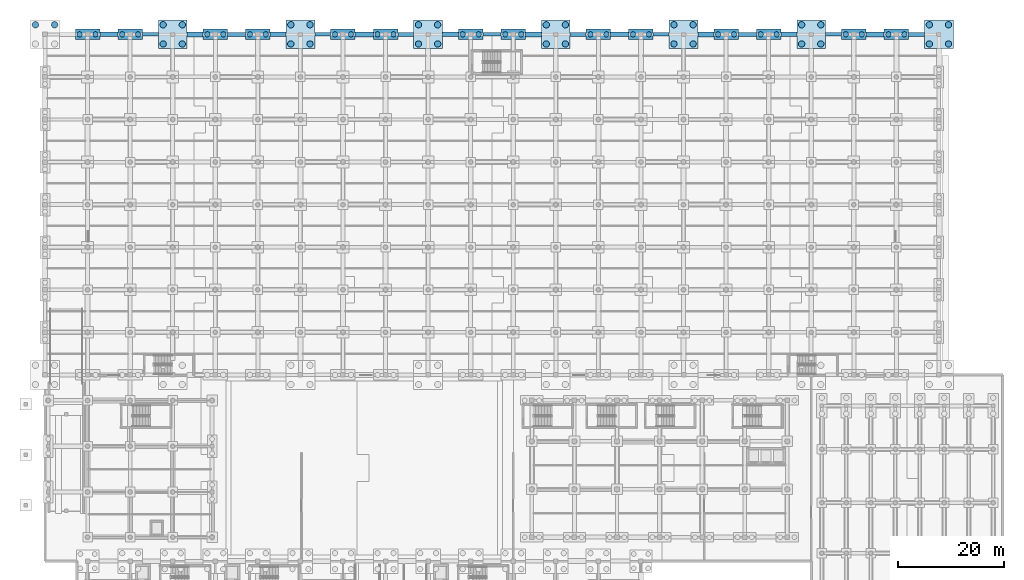
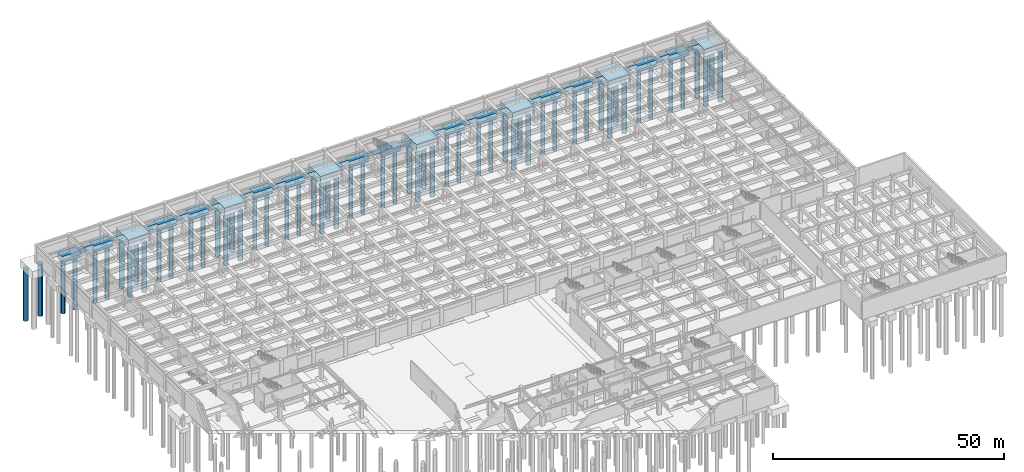
# One storey, part 16 of 48: 58 piles, 41 footings.
"""IFC4 building model written with IfcOpenShell, lengths in metres."""

from ifc_helpers import new_model, si_unit, direction, frame, origin, origin_2d, place, context, subcontext, project, spatial, polyline, rectangle, circle, outline, extrude, material, layer, layer_set, material_profile, profile_set, type_object, element, save


model = new_model("IFC4")

# Units and contexts
model_context = context("Model", 3, precision=1e-05, world=origin(), true_north=direction((0.0, 1.0)))
body_context = subcontext(model_context, "Body", "Model", "MODEL_VIEW")
ifc_project = project(units=[si_unit("LENGTHUNIT", "METRE"), si_unit("AREAUNIT", "SQUARE_METRE"), si_unit("VOLUMEUNIT", "CUBIC_METRE"), si_unit("PLANEANGLEUNIT", "RADIAN"), si_unit("MASSUNIT", "GRAM", prefix="KILO")], contexts=[model_context])

# Site, building, storey
site_placement = place(None, origin())
site = spatial("IfcSite", under=ifc_project, at=site_placement, CompositionType="ELEMENT")
building_placement = place(site_placement, origin())
building = spatial("IfcBuilding", under=site, at=building_placement, Name="Tlacozan Convention Centre", CompositionType="ELEMENT")
storey_placement = place(building_placement, frame((0.0, 0.0, -4.800048828125)))
storey = spatial("IfcBuildingStorey", under=building, at=storey_placement, Name="B01", CompositionType="ELEMENT", Elevation=-4.800048828125)

# Footings
ifc_material = material(Name="Concrete C35/45", Category="concrete")
ifc_layer_1 = layer(ifc_material, 1.0)
ifc_layer_set_1 = layer_set([ifc_layer_1], Name="Concrete C35/45")
footing_type_1 = type_object("IfcFootingType", Name="Foundation Tie Beam 650x1000", PredefinedType="FOOTING_BEAM", material=ifc_layer_set_1)
footing_1_placement = place(storey_placement, frame((0.0, 0.0, -1.0)))
element("IfcFooting", 1, at=footing_1_placement, inside=storey, type_object=footing_type_1, Name="Foundation Tie Beam X-297", PredefinedType="FOOTING_BEAM", context=body_context, shape_type="SweptSolid", body=[
    extrude(outline(polyline([(18.300048828125, 125.675048828125), (21.300048828125, 125.675048828125), (21.300048828125, 126.324951171875), (18.300048828125, 126.324951171875), (18.300048828125, 125.675048828125)])), origin(), (0.0, 0.0, 1.0), 1.0),
])
footing_2_placement = place(storey_placement, frame((0.0, 0.0, -1.0)))
element("IfcFooting", 2, at=footing_2_placement, inside=storey, type_object=footing_type_1, Name="Foundation Tie Beam X-301", PredefinedType="FOOTING_BEAM", context=body_context, shape_type="SweptSolid", body=[
    extrude(outline(polyline([(50.699951171875, 125.675048828125), (53.699951171875, 125.675048828125), (53.699951171875, 126.324951171875), (50.699951171875, 126.324951171875), (50.699951171875, 125.675048828125)])), origin(), (0.0, 0.0, 1.0), 1.0),
])
footing_3_placement = place(storey_placement, frame((0.0, 0.0, -1.0)))
element("IfcFooting", 3, at=footing_3_placement, inside=storey, type_object=footing_type_1, Name="Foundation Tie Beam X-305", PredefinedType="FOOTING_BEAM", context=body_context, shape_type="SweptSolid", body=[
    extrude(outline(polyline([(82.300048828125, 125.675048828125), (85.699951171875, 125.675048828125), (85.699951171875, 126.324951171875), (82.300048828125, 126.324951171875), (82.300048828125, 125.675048828125)])), origin(), (0.0, 0.0, 1.0), 1.0),
])
footing_4_placement = place(storey_placement, frame((0.0, 0.0, -1.0)))
element("IfcFooting", 4, at=footing_4_placement, inside=storey, type_object=footing_type_1, Name="Foundation Tie Beam X-309", PredefinedType="FOOTING_BEAM", context=body_context, shape_type="SweptSolid", body=[
    extrude(outline(polyline([(114.300048828125, 125.675048828125), (117.300048828125, 125.675048828125), (117.300048828125, 126.324951171875), (114.300048828125, 126.324951171875), (114.300048828125, 125.675048828125)])), origin(), (0.0, 0.0, 1.0), 1.0),
])
footing_5_placement = place(storey_placement, frame((0.0, 0.0, -1.0)))
element("IfcFooting", 5, at=footing_5_placement, inside=storey, type_object=footing_type_1, Name="Foundation Tie Beam X-313", PredefinedType="FOOTING_BEAM", context=body_context, shape_type="SweptSolid", body=[
    extrude(outline(polyline([(146.699951171875, 125.675048828125), (149.699951171875, 125.675048828125), (149.699951171875, 126.324951171875), (146.699951171875, 126.324951171875), (146.699951171875, 125.675048828125)])), origin(), (0.0, 0.0, 1.0), 1.0),
])
ifc_layer_2 = layer(ifc_material, 1.10009765625)
ifc_layer_set_2 = layer_set([ifc_layer_2], Name="Concrete C35/45")
footing_type_2 = type_object("IfcFootingType", Name="Foundation Tie Beam 750x1100", PredefinedType="FOOTING_BEAM", material=ifc_layer_set_2)
footing_6_placement = place(storey_placement, frame((0.0, 0.0, -1.099853515625)))
element("IfcFooting", 6, at=footing_6_placement, inside=storey, type_object=footing_type_2, Name="Foundation Tie Beam X-299", PredefinedType="FOOTING_BEAM", context=body_context, shape_type="SweptSolid", body=[
    extrude(outline(polyline([(34.300048828125, 125.625), (37.699951171875, 125.625), (37.699951171875, 126.375), (34.300048828125, 126.375), (34.300048828125, 125.625)])), origin(), (0.0, 0.0, 1.0), 1.099853515625),
])
footing_7_placement = place(storey_placement, frame((0.0, 0.0, -1.099853515625)))
element("IfcFooting", 7, at=footing_7_placement, inside=storey, type_object=footing_type_2, Name="Foundation Tie Beam X-303", PredefinedType="FOOTING_BEAM", context=body_context, shape_type="SweptSolid", body=[
    extrude(outline(polyline([(66.300048828125, 125.625), (69.300048828125, 125.625), (69.300048828125, 126.375), (66.300048828125, 126.375), (66.300048828125, 125.625)])), origin(), (0.0, 0.0, 1.0), 1.099853515625),
])
footing_8_placement = place(storey_placement, frame((0.0, 0.0, -1.099853515625)))
element("IfcFooting", 8, at=footing_8_placement, inside=storey, type_object=footing_type_2, Name="Foundation Tie Beam X-307", PredefinedType="FOOTING_BEAM", context=body_context, shape_type="SweptSolid", body=[
    extrude(outline(polyline([(98.699951171875, 125.625), (101.699951171875, 125.625), (101.699951171875, 126.375), (98.699951171875, 126.375), (98.699951171875, 125.625)])), origin(), (0.0, 0.0, 1.0), 1.099853515625),
])
footing_9_placement = place(storey_placement, frame((0.0, 0.0, -1.099853515625)))
element("IfcFooting", 9, at=footing_9_placement, inside=storey, type_object=footing_type_2, Name="Foundation Tie Beam X-311", PredefinedType="FOOTING_BEAM", context=body_context, shape_type="SweptSolid", body=[
    extrude(outline(polyline([(130.300048828125, 125.625), (133.699951171875, 125.625), (133.699951171875, 126.375), (130.300048828125, 126.375), (130.300048828125, 125.625)])), origin(), (0.0, 0.0, 1.0), 1.099853515625),
])
footing_10_placement = place(storey_placement, frame((0.0, 0.0, -1.099853515625)))
element("IfcFooting", 10, at=footing_10_placement, inside=storey, type_object=footing_type_2, Name="Foundation Tie Beam X-315", PredefinedType="FOOTING_BEAM", context=body_context, shape_type="SweptSolid", body=[
    extrude(outline(polyline([(162.300048828125, 125.625), (165.300048828125, 125.625), (165.300048828125, 126.375), (162.300048828125, 126.375), (162.300048828125, 125.625)])), origin(), (0.0, 0.0, 1.0), 1.099853515625),
])
ifc_layer_3 = layer(ifc_material, 1.199951171875)
ifc_layer_set_3 = layer_set([ifc_layer_3], Name="Concrete C35/45")
footing_type_3 = type_object("IfcFootingType", Name="Foundation Tie Beam 800x1200", PredefinedType="FOOTING_BEAM", material=ifc_layer_set_3)
footing_11_placement = place(storey_placement, frame((0.0, 0.0, -1.199951171875)))
element("IfcFooting", 11, at=footing_11_placement, inside=storey, type_object=footing_type_3, Name="Foundation Tie Beam X-296", PredefinedType="FOOTING_BEAM", context=body_context, shape_type="SweptSolid", body=[
    extrude(outline(polyline([(10.300048828125, 125.60009765625), (13.699951171875, 125.60009765625), (13.699951171875, 126.39990234375), (10.300048828125, 126.39990234375), (10.300048828125, 125.60009765625)])), origin(), (0.0, 0.0, 1.0), 1.199951171875),
])
footing_12_placement = place(storey_placement, frame((0.0, 0.0, -1.199951171875)))
element("IfcFooting", 12, at=footing_12_placement, inside=storey, type_object=footing_type_3, Name="Foundation Tie Beam X-300", PredefinedType="FOOTING_BEAM", context=body_context, shape_type="SweptSolid", body=[
    extrude(outline(polyline([(42.300048828125, 125.60009765625), (45.300048828125, 125.60009765625), (45.300048828125, 126.39990234375), (42.300048828125, 126.39990234375), (42.300048828125, 125.60009765625)])), origin(), (0.0, 0.0, 1.0), 1.199951171875),
])
footing_13_placement = place(storey_placement, frame((0.0, 0.0, -1.199951171875)))
element("IfcFooting", 13, at=footing_13_placement, inside=storey, type_object=footing_type_3, Name="Foundation Tie Beam X-304", PredefinedType="FOOTING_BEAM", context=body_context, shape_type="SweptSolid", body=[
    extrude(outline(polyline([(74.699951171875, 125.60009765625), (77.699951171875, 125.60009765625), (77.699951171875, 126.39990234375), (74.699951171875, 126.39990234375), (74.699951171875, 125.60009765625)])), origin(), (0.0, 0.0, 1.0), 1.199951171875),
])
footing_14_placement = place(storey_placement, frame((0.0, 0.0, -1.199951171875)))
element("IfcFooting", 14, at=footing_14_placement, inside=storey, type_object=footing_type_3, Name="Foundation Tie Beam X-308", PredefinedType="FOOTING_BEAM", context=body_context, shape_type="SweptSolid", body=[
    extrude(outline(polyline([(106.300048828125, 125.60009765625), (109.699951171875, 125.60009765625), (109.699951171875, 126.39990234375), (106.300048828125, 126.39990234375), (106.300048828125, 125.60009765625)])), origin(), (0.0, 0.0, 1.0), 1.199951171875),
])
footing_15_placement = place(storey_placement, frame((0.0, 0.0, -1.199951171875)))
element("IfcFooting", 15, at=footing_15_placement, inside=storey, type_object=footing_type_3, Name="Foundation Tie Beam X-312", PredefinedType="FOOTING_BEAM", context=body_context, shape_type="SweptSolid", body=[
    extrude(outline(polyline([(138.300048828125, 125.60009765625), (141.300048828125, 125.60009765625), (141.300048828125, 126.39990234375), (138.300048828125, 126.39990234375), (138.300048828125, 125.60009765625)])), origin(), (0.0, 0.0, 1.0), 1.199951171875),
])
ifc_layer_4 = layer(ifc_material, 1.300048828125)
ifc_layer_set_4 = layer_set([ifc_layer_4], Name="Concrete C35/45")
footing_type_4 = type_object("IfcFootingType", Name="Foundation Tie Beam 900x1300", PredefinedType="FOOTING_BEAM", material=ifc_layer_set_4)
footing_16_placement = place(storey_placement, frame((0.0, 0.0, -1.300048828125)))
element("IfcFooting", 16, at=footing_16_placement, inside=storey, type_object=footing_type_4, Name="Foundation Tie Beam X-298", PredefinedType="FOOTING_BEAM", context=body_context, shape_type="SweptSolid", body=[
    extrude(outline(polyline([(26.699951171875, 125.550048828125), (29.699951171875, 125.550048828125), (29.699951171875, 126.449951171875), (26.699951171875, 126.449951171875), (26.699951171875, 125.550048828125)])), origin(), (0.0, 0.0, 1.0), 1.300048828125),
])
footing_17_placement = place(storey_placement, frame((0.0, 0.0, -1.300048828125)))
element("IfcFooting", 17, at=footing_17_placement, inside=storey, type_object=footing_type_4, Name="Foundation Tie Beam X-302", PredefinedType="FOOTING_BEAM", context=body_context, shape_type="SweptSolid", body=[
    extrude(outline(polyline([(58.300048828125, 125.550048828125), (61.699951171875, 125.550048828125), (61.699951171875, 126.449951171875), (58.300048828125, 126.449951171875), (58.300048828125, 125.550048828125)])), origin(), (0.0, 0.0, 1.0), 1.300048828125),
])
footing_18_placement = place(storey_placement, frame((0.0, 0.0, -1.300048828125)))
element("IfcFooting", 18, at=footing_18_placement, inside=storey, type_object=footing_type_4, Name="Foundation Tie Beam X-306", PredefinedType="FOOTING_BEAM", context=body_context, shape_type="SweptSolid", body=[
    extrude(outline(polyline([(90.300048828125, 125.550048828125), (93.300048828125, 125.550048828125), (93.300048828125, 126.449951171875), (90.300048828125, 126.449951171875), (90.300048828125, 125.550048828125)])), origin(), (0.0, 0.0, 1.0), 1.300048828125),
])
footing_19_placement = place(storey_placement, frame((0.0, 0.0, -1.300048828125)))
element("IfcFooting", 19, at=footing_19_placement, inside=storey, type_object=footing_type_4, Name="Foundation Tie Beam X-310", PredefinedType="FOOTING_BEAM", context=body_context, shape_type="SweptSolid", body=[
    extrude(outline(polyline([(122.699951171875, 125.550048828125), (125.699951171875, 125.550048828125), (125.699951171875, 126.449951171875), (122.699951171875, 126.449951171875), (122.699951171875, 125.550048828125)])), origin(), (0.0, 0.0, 1.0), 1.300048828125),
])
footing_20_placement = place(storey_placement, frame((0.0, 0.0, -1.300048828125)))
element("IfcFooting", 20, at=footing_20_placement, inside=storey, type_object=footing_type_4, Name="Foundation Tie Beam X-314", PredefinedType="FOOTING_BEAM", context=body_context, shape_type="SweptSolid", body=[
    extrude(outline(polyline([(154.300048828125, 125.550048828125), (157.699951171875, 125.550048828125), (157.699951171875, 126.449951171875), (154.300048828125, 126.449951171875), (154.300048828125, 125.550048828125)])), origin(), (0.0, 0.0, 1.0), 1.300048828125),
])
ifc_layer_5 = layer(ifc_material, 1.699951171875)
ifc_layer_set_5 = layer_set([ifc_layer_5], Name="Concrete C35/45")
footing_type_5 = type_object("IfcFootingType", Name="Pile Cap 2P 4600x2000x1700", PredefinedType="PILE_CAP", material=ifc_layer_set_5)
for number, where, z_axis, x_axis, name in (
    (21, (8.0, 126.0, -1.69970703125), (0.0, 0.0, 1.0), (1.0, 0.0, 0.0), "Pile Cap PC-05 (29)"),
    (22, (16.0, 126.0, -1.69970703125), (0.0, 0.0, 1.0), (1.0, 0.0, 0.0), "Pile Cap PC-05 (46)"),
    (23, (32.0, 126.0, -1.69970703125), (0.0, 0.0, 1.0), (1.0, 0.0, 0.0), "Pile Cap PC-05 (80)"),
    (24, (40.0, 126.0, -1.69970703125), (0.0, 0.0, 1.0), (1.0, 0.0, 0.0), "Pile Cap PC-05 (93)"),
    (25, (56.0, 126.0, -1.69970703125), (0.0, 0.0, 1.0), (1.0, 0.0, 0.0), "Pile Cap PC-05 (119)"),
    (26, (64.0, 126.0, -1.69970703125), (0.0, 0.0, 1.0), (1.0, 0.0, 0.0), "Pile Cap PC-05 (132)"),
    (27, (80.0, 126.0, -1.69970703125), (0.0, 0.0, 1.0), (1.0, 0.0, 0.0), "Pile Cap PC-05 (158)"),
    (28, (88.0, 126.0, -1.69970703125), (0.0, 0.0, 1.0), (1.0, 0.0, 0.0), "Pile Cap PC-05 (171)"),
    (29, (104.0, 126.0, -1.69970703125), (0.0, 0.0, 1.0), (1.0, 0.0, 0.0), "Pile Cap PC-05 (205)"),
    (30, (112.0, 126.0, -1.69970703125), (0.0, 0.0, 1.0), (1.0, 0.0, 0.0), "Pile Cap PC-05 (222)"),
    (31, (128.0, 126.0, -1.69970703125), (0.0, 0.0, 1.0), (1.0, 0.0, 0.0), "Pile Cap PC-05 (248)"),
    (32, (136.0, 126.0, -1.69970703125), (0.0, 0.0, 1.0), (1.0, 0.0, 0.0), "Pile Cap PC-05 (261)"),
    (33, (152.0, 126.0, -1.69970703125), (0.0, 0.0, 1.0), (1.0, 0.0, 0.0), "Pile Cap PC-05 (293)"),
    (34, (160.0, 126.0, -1.69970703125), (0.0, 0.0, 1.0), (1.0, 0.0, 0.0), "Pile Cap PC-05 (312)"),
):
    element("IfcFooting", number, at=place(storey_placement, frame(where, z_axis=z_axis, x_axis=x_axis)), inside=storey, type_object=footing_type_5, Name=name, PredefinedType="PILE_CAP", context=body_context, shape_type="SweptSolid", body=[
        extrude(rectangle(XDim=4.60009765625, YDim=2.0, at=origin_2d()), origin(), (0.0, 0.0, 1.0), 1.699951171875),
    ])
ifc_layer_6 = layer(ifc_material, 2.0)
ifc_layer_set_6 = layer_set([ifc_layer_6], Name="Concrete C35/45")
footing_type_6 = type_object("IfcFootingType", Name="Pile Cap 4P 5400x5400x2000", PredefinedType="PILE_CAP", material=ifc_layer_set_6)
for number, where, z_axis, x_axis, name in (
    (35, (24.0, 126.0, -2.0), (0.0, 0.0, 1.0), (1.0, 0.0, 0.0), "Pile Cap PC-08 (63)"),
    (36, (48.0, 126.0, -2.0), (0.0, 0.0, 1.0), (1.0, 0.0, 0.0), "Pile Cap PC-08 (106)"),
    (37, (72.0, 126.0, -2.0), (0.0, 0.0, 1.0), (1.0, 0.0, 0.0), "Pile Cap PC-08 (145)"),
    (38, (96.0, 126.0, -2.0), (0.0, 0.0, 1.0), (1.0, 0.0, 0.0), "Pile Cap PC-08 (188)"),
    (39, (120.0, 126.0, -2.0), (0.0, 0.0, 1.0), (1.0, 0.0, 0.0), "Pile Cap PC-08 (235)"),
    (40, (144.0, 126.0, -2.0), (0.0, 0.0, 1.0), (1.0, 0.0, 0.0), "Pile Cap PC-08 (274)"),
    (41, (168.0, 126.0, -2.0), (0.0, 0.0, 1.0), (1.0, 0.0, 0.0), "Pile Cap PC-08 (326)"),
):
    element("IfcFooting", number, at=place(storey_placement, frame(where, z_axis=z_axis, x_axis=x_axis)), inside=storey, type_object=footing_type_6, Name=name, PredefinedType="PILE_CAP", context=body_context, shape_type="SweptSolid", body=[
        extrude(rectangle(XDim=5.39990234375, YDim=5.39990234375, at=origin_2d()), origin(), (0.0, 0.0, 1.0), 2.0),
    ])

# Piles
ifc_material_profile_1 = material_profile(ifc_material, circle(Radius=0.5, at=origin_2d()), Name="PILE D1000")
ifc_profile_set_1 = profile_set([ifc_material_profile_1], Name="Concrete C35/45")
pile_type_1 = type_object("IfcPileType", Name="Pile D1000 Bored", PredefinedType="BORED", material=ifc_profile_set_1)
for number, where, z_axis, x_axis, name in (
    (42, (6.5, 126.0, -1.579833984375), (0.0, 0.0, -1.0), (1.0, 0.0, 0.0), "Bored Pile 57"),
    (43, (9.5, 126.0, -1.579833984375), (0.0, 0.0, -1.0), (1.0, 0.0, 0.0), "Bored Pile 58"),
    (44, (14.5, 126.0, -1.579833984375), (0.0, 0.0, -1.0), (1.0, 0.0, 0.0), "Bored Pile 86"),
    (45, (17.5, 126.0, -1.579833984375), (0.0, 0.0, -1.0), (1.0, 0.0, 0.0), "Bored Pile 87"),
    (46, (30.5, 126.0, -1.579833984375), (0.0, 0.0, -1.0), (1.0, 0.0, 0.0), "Bored Pile 150"),
    (47, (33.5, 126.0, -1.579833984375), (0.0, 0.0, -1.0), (1.0, 0.0, 0.0), "Bored Pile 151"),
    (48, (38.5, 126.0, -1.579833984375), (0.0, 0.0, -1.0), (1.0, 0.0, 0.0), "Bored Pile 175"),
    (49, (41.5, 126.0, -1.579833984375), (0.0, 0.0, -1.0), (1.0, 0.0, 0.0), "Bored Pile 176"),
    (50, (54.5, 126.0, -1.579833984375), (0.0, 0.0, -1.0), (1.0, 0.0, 0.0), "Bored Pile 229"),
    (51, (57.5, 126.0, -1.579833984375), (0.0, 0.0, -1.0), (1.0, 0.0, 0.0), "Bored Pile 230"),
    (52, (62.5, 126.0, -1.579833984375), (0.0, 0.0, -1.0), (1.0, 0.0, 0.0), "Bored Pile 254"),
    (53, (65.5, 126.0, -1.579833984375), (0.0, 0.0, -1.0), (1.0, 0.0, 0.0), "Bored Pile 255"),
    (54, (78.5, 126.0, -1.579833984375), (0.0, 0.0, -1.0), (1.0, 0.0, 0.0), "Bored Pile 308"),
    (55, (81.5, 126.0, -1.579833984375), (0.0, 0.0, -1.0), (1.0, 0.0, 0.0), "Bored Pile 309"),
    (56, (86.5, 126.0, -1.579833984375), (0.0, 0.0, -1.0), (1.0, 0.0, 0.0), "Bored Pile 333"),
    (57, (89.5, 126.0, -1.579833984375), (0.0, 0.0, -1.0), (1.0, 0.0, 0.0), "Bored Pile 334"),
    (58, (102.5, 126.0, -1.579833984375), (0.0, 0.0, -1.0), (1.0, 0.0, 0.0), "Bored Pile 399"),
    (59, (105.5, 126.0, -1.579833984375), (0.0, 0.0, -1.0), (1.0, 0.0, 0.0), "Bored Pile 400"),
    (60, (110.5, 126.0, -1.579833984375), (0.0, 0.0, -1.0), (1.0, 0.0, 0.0), "Bored Pile 432"),
    (61, (113.5, 126.0, -1.579833984375), (0.0, 0.0, -1.0), (1.0, 0.0, 0.0), "Bored Pile 433"),
    (62, (126.5, 126.0, -1.579833984375), (0.0, 0.0, -1.0), (1.0, 0.0, 0.0), "Bored Pile 470"),
    (63, (129.5, 126.0, -1.579833984375), (0.0, 0.0, -1.0), (1.0, 0.0, 0.0), "Bored Pile 471"),
    (64, (134.5, 126.0, -1.579833984375), (0.0, 0.0, -1.0), (1.0, 0.0, 0.0), "Bored Pile 487"),
    (65, (137.5, 126.0, -1.579833984375), (0.0, 0.0, -1.0), (1.0, 0.0, 0.0), "Bored Pile 488"),
    (66, (150.5, 126.0, -1.579833984375), (0.0, 0.0, -1.0), (1.0, 0.0, 0.0), "Bored Pile 533"),
    (67, (153.5, 126.0, -1.579833984375), (0.0, 0.0, -1.0), (1.0, 0.0, 0.0), "Bored Pile 534"),
    (68, (158.5, 126.0, -1.579833984375), (0.0, 0.0, -1.0), (1.0, 0.0, 0.0), "Bored Pile 558"),
    (69, (161.5, 126.0, -1.579833984375), (0.0, 0.0, -1.0), (1.0, 0.0, 0.0), "Bored Pile 559"),
):
    element("IfcPile", number, at=place(storey_placement, frame(where, z_axis=z_axis, x_axis=x_axis)), inside=storey, type_object=pile_type_1, Name=name, PredefinedType="BORED", context=body_context, shape_type="SweptSolid", body=[
        extrude(circle(Radius=0.5, at=origin_2d()), origin(), (0.0, 0.0, 1.0), 14.1201171875),
    ])
ifc_material_profile_2 = material_profile(ifc_material, circle(Radius=0.60009765625, at=origin_2d()), Name="PILE D1200")
ifc_profile_set_2 = profile_set([ifc_material_profile_2], Name="Concrete C35/45")
pile_type_2 = type_object("IfcPileType", Name="Pile D1200 Bored", PredefinedType="BORED", material=ifc_profile_set_2)
for number, where, z_axis, x_axis, name in (
    (70, (-1.800048828125, 127.800048828125, -1.8798828125), (0.0, 0.0, -1.0), (1.0, 0.0, 0.0), "Bored Pile 21"),
    (71, (1.800048828125, 127.800048828125, -1.8798828125), (0.0, 0.0, -1.0), (1.0, 0.0, 0.0), "Bored Pile 22"),
    (72, (22.199951171875, 124.199951171875, -1.8798828125), (0.0, 0.0, -1.0), (1.0, 0.0, 0.0), "Bored Pile 117"),
    (73, (25.800048828125, 124.199951171875, -1.8798828125), (0.0, 0.0, -1.0), (1.0, 0.0, 0.0), "Bored Pile 118"),
    (74, (22.199951171875, 127.800048828125, -1.8798828125), (0.0, 0.0, -1.0), (1.0, 0.0, 0.0), "Bored Pile 119"),
    (75, (25.800048828125, 127.800048828125, -1.8798828125), (0.0, 0.0, -1.0), (1.0, 0.0, 0.0), "Bored Pile 120"),
    (76, (46.199951171875, 124.199951171875, -1.8798828125), (0.0, 0.0, -1.0), (1.0, 0.0, 0.0), "Bored Pile 202"),
    (77, (49.800048828125, 124.199951171875, -1.8798828125), (0.0, 0.0, -1.0), (1.0, 0.0, 0.0), "Bored Pile 203"),
    (78, (46.199951171875, 127.800048828125, -1.8798828125), (0.0, 0.0, -1.0), (1.0, 0.0, 0.0), "Bored Pile 204"),
    (79, (49.800048828125, 127.800048828125, -1.8798828125), (0.0, 0.0, -1.0), (1.0, 0.0, 0.0), "Bored Pile 205"),
    (80, (70.199951171875, 124.199951171875, -1.8798828125), (0.0, 0.0, -1.0), (1.0, 0.0, 0.0), "Bored Pile 281"),
    (81, (73.800048828125, 124.199951171875, -1.8798828125), (0.0, 0.0, -1.0), (1.0, 0.0, 0.0), "Bored Pile 282"),
    (82, (70.199951171875, 127.800048828125, -1.8798828125), (0.0, 0.0, -1.0), (1.0, 0.0, 0.0), "Bored Pile 283"),
    (83, (73.800048828125, 127.800048828125, -1.8798828125), (0.0, 0.0, -1.0), (1.0, 0.0, 0.0), "Bored Pile 284"),
    (84, (94.199951171875, 124.199951171875, -1.8798828125), (0.0, 0.0, -1.0), (1.0, 0.0, 0.0), "Bored Pile 366"),
    (85, (97.800048828125, 124.199951171875, -1.8798828125), (0.0, 0.0, -1.0), (1.0, 0.0, 0.0), "Bored Pile 367"),
    (86, (94.199951171875, 127.800048828125, -1.8798828125), (0.0, 0.0, -1.0), (1.0, 0.0, 0.0), "Bored Pile 368"),
    (87, (97.800048828125, 127.800048828125, -1.8798828125), (0.0, 0.0, -1.0), (1.0, 0.0, 0.0), "Bored Pile 369"),
    (88, (118.199951171875, 124.199951171875, -1.8798828125), (0.0, 0.0, -1.0), (1.0, 0.0, 0.0), "Bored Pile 451"),
    (89, (121.800048828125, 124.199951171875, -1.8798828125), (0.0, 0.0, -1.0), (1.0, 0.0, 0.0), "Bored Pile 452"),
    (90, (118.199951171875, 127.800048828125, -1.8798828125), (0.0, 0.0, -1.0), (1.0, 0.0, 0.0), "Bored Pile 453"),
    (91, (121.800048828125, 127.800048828125, -1.8798828125), (0.0, 0.0, -1.0), (1.0, 0.0, 0.0), "Bored Pile 454"),
    (92, (142.199951171875, 124.199951171875, -1.8798828125), (0.0, 0.0, -1.0), (1.0, 0.0, 0.0), "Bored Pile 506"),
    (93, (145.800048828125, 124.199951171875, -1.8798828125), (0.0, 0.0, -1.0), (1.0, 0.0, 0.0), "Bored Pile 507"),
    (94, (142.199951171875, 127.800048828125, -1.8798828125), (0.0, 0.0, -1.0), (1.0, 0.0, 0.0), "Bored Pile 508"),
    (95, (145.800048828125, 127.800048828125, -1.8798828125), (0.0, 0.0, -1.0), (1.0, 0.0, 0.0), "Bored Pile 509"),
    (96, (166.199951171875, 124.199951171875, -1.8798828125), (0.0, 0.0, -1.0), (1.0, 0.0, 0.0), "Bored Pile 585"),
    (97, (169.800048828125, 124.199951171875, -1.8798828125), (0.0, 0.0, -1.0), (1.0, 0.0, 0.0), "Bored Pile 586"),
    (98, (166.199951171875, 127.800048828125, -1.8798828125), (0.0, 0.0, -1.0), (1.0, 0.0, 0.0), "Bored Pile 587"),
    (99, (169.800048828125, 127.800048828125, -1.8798828125), (0.0, 0.0, -1.0), (1.0, 0.0, 0.0), "Bored Pile 588"),
):
    element("IfcPile", number, at=place(storey_placement, frame(where, z_axis=z_axis, x_axis=x_axis)), inside=storey, type_object=pile_type_2, Name=name, PredefinedType="BORED", context=body_context, shape_type="SweptSolid", body=[
        extrude(circle(Radius=0.60009765625, at=origin_2d()), origin(), (0.0, 0.0, 1.0), 13.820068359375),
    ])

save(model, "model.ifc")
